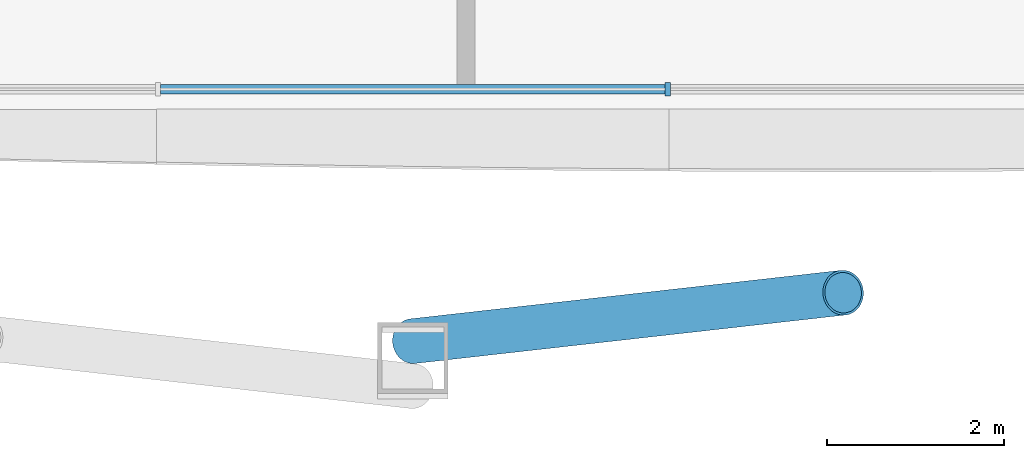
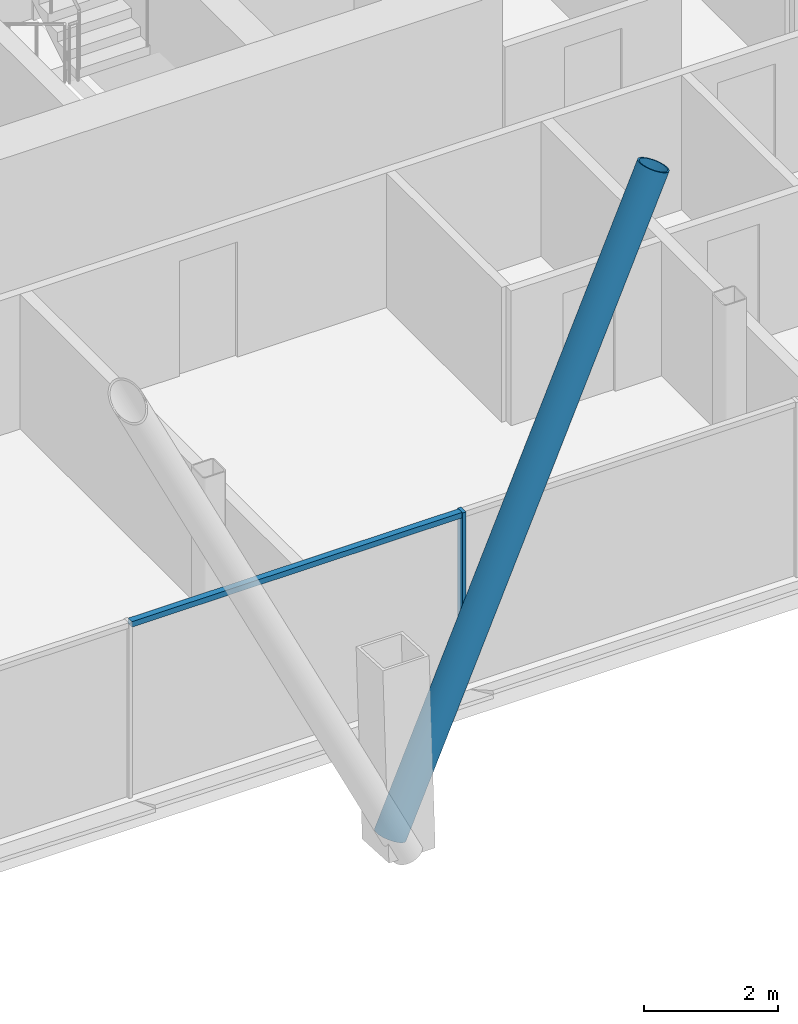
# One storey, part 5 of 22: 3 members, 1 element without a shape of its own.
"""IFC4 building model written with IfcOpenShell, lengths in metres."""

from ifc_helpers import new_model, si_unit, direction, frame, origin, origin_2d, place, context, subcontext, project, spatial, rectangle, hollow_circle, extrude, material, material_profile, profile_set, type_object, element, aggregate, save


model = new_model("IFC4")

# Units and contexts
model_context = context("Model", 3, precision=1e-05, world=origin(), true_north=direction((0.0, 1.0)))
body_context = subcontext(model_context, "Body", "Model", "MODEL_VIEW")
ifc_project = project(units=[si_unit("LENGTHUNIT", "METRE"), si_unit("AREAUNIT", "SQUARE_METRE"), si_unit("VOLUMEUNIT", "CUBIC_METRE"), si_unit("PLANEANGLEUNIT", "RADIAN"), si_unit("MASSUNIT", "GRAM", prefix="KILO")], contexts=[model_context])

# Site, building, storey
site_placement = place(None, origin())
site = spatial("IfcSite", under=ifc_project, at=site_placement, CompositionType="ELEMENT")
building_placement = place(site_placement, origin())
building = spatial("IfcBuilding", under=site, at=building_placement, Name="Tskaro Facet Tower", CompositionType="ELEMENT")
storey_placement = place(building_placement, frame((0.0, 0.0, 121.5)))
storey = spatial("IfcBuildingStorey", under=building, at=storey_placement, Name="L28", CompositionType="ELEMENT", Elevation=121.5)

# Member
ifc_material_1 = material(Name="Steel S355J2H", Category="steel")
ifc_material_profile_1 = material_profile(ifc_material_1, hollow_circle(Radius=0.25390625, WallThickness=0.02490234375, at=origin_2d()), Name="CHS 508x25")
ifc_profile_set_1 = profile_set([ifc_material_profile_1], Name="Steel S355J2H")
member_type_1 = type_object("IfcMemberType", Name="CHS 508x25 brace", PredefinedType="BRACE", material=ifc_profile_set_1)
member_1_placement = place(storey_placement, frame((3.0, -26.212890625, 0.0), z_axis=(0.429820765287, 0.048405280742, 0.901615793187), x_axis=(-0.111909939557, 0.993718353171, 0.0)))
element("IfcMember", 1, at=member_1_placement, inside=storey, type_object=member_type_1, Name="CHS 508x25 XB02A/3", PredefinedType="BRACE", context=body_context, shape_type="SweptSolid", body=[
    extrude(hollow_circle(Radius=0.25390625, WallThickness=0.02490234375, at=origin_2d()), origin(), (0.0, 0.0, 1.0), 11.31298828125),
])

# Curtain wall, members
ifc_material_2 = material(Name="Bronze anodised aluminium 6063-T6", Category="aluminium")
curtain_wall_type = type_object("IfcCurtainWallType", Name="Bronze hotel curtain wall (FW2)", PredefinedType="NOTDEFINED", material=ifc_material_2)
curtain_wall_placement = place(storey_placement, origin())
curtain_wall = element("IfcCurtainWall", 2, at=curtain_wall_placement, inside=storey, type_object=curtain_wall_type, Name="FW2 south facet L28", PredefinedType="NOTDEFINED")
ifc_material_profile_2 = material_profile(ifc_material_2, rectangle(XDim=0.06005859375, YDim=0.14990234375, at=origin_2d()), Name="Mullion 60x150")
ifc_profile_set_2 = profile_set([ifc_material_profile_2], Name="Bronze anodised aluminium 6063-T6")
member_type_2 = type_object("IfcMemberType", Name="FW2 bronze mullion 60x150", PredefinedType="MULLION", material=ifc_profile_set_2)
member_2_placement = place(storey_placement, frame((5.880859375, -23.366943359375, 0.0), z_axis=(0.0, 0.0, 1.0), x_axis=(1.0, 0.0, 0.0)))
member_2 = element("IfcMember", 3, at=member_2_placement, type_object=member_type_2, Name="FW2 south mullion 4", PredefinedType="MULLION", context=body_context, shape_type="SweptSolid", body=[
    extrude(rectangle(XDim=0.06005859375, YDim=0.14990234375, at=origin_2d()), origin(), (0.0, 0.0, 1.0), 3.199951171875),
])
ifc_material_profile_3 = material_profile(ifc_material_2, rectangle(XDim=0.110107421875, YDim=0.10009765625, at=origin_2d()), Name="Transom 110x100")
ifc_profile_set_3 = profile_set([ifc_material_profile_3], Name="Bronze anodised aluminium 6063-T6")
member_type_3 = type_object("IfcMemberType", Name="FW2 bronze transom 110x100", PredefinedType="USERDEFINED", material=ifc_profile_set_3)
member_3_placement = place(storey_placement, frame((0.149169921875, -23.366943359375, 3.14990234375), z_axis=(1.0, 0.0, 0.0), x_axis=(0.0, 1.0, 0.0)))
member_3 = element("IfcMember", 4, at=member_3_placement, type_object=member_type_3, Name="FW2 south transom 4.1", ObjectType="TRANSOM", PredefinedType="USERDEFINED", context=body_context, shape_type="SweptSolid", body=[
    extrude(rectangle(XDim=0.110107421875, YDim=0.10009765625, at=origin_2d()), origin(), (0.0, 0.0, 1.0), 5.70166015625),
])
aggregate(curtain_wall, [member_2, member_3])

save(model, "model.ifc")
